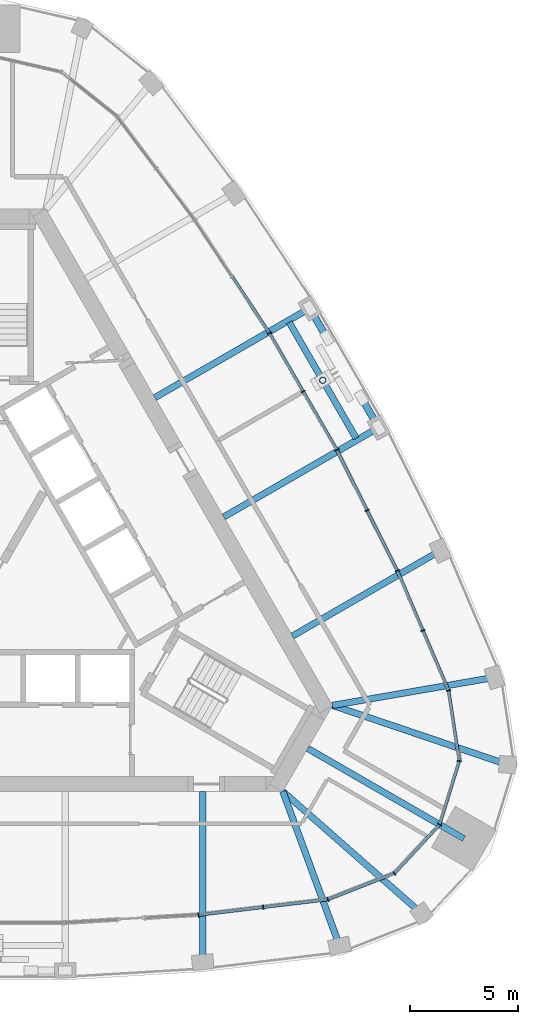
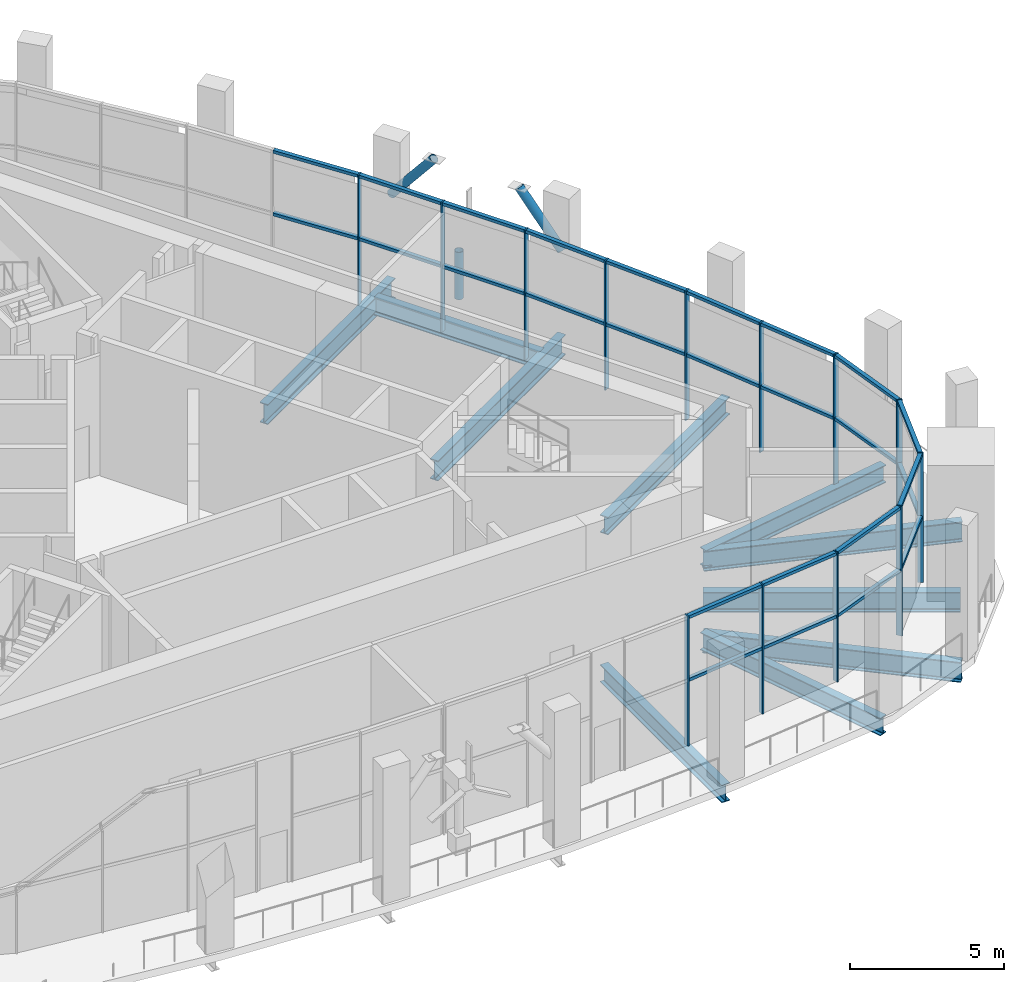
# One storey, part 5 of 23: 42 members, 10 beams, 3 elements without a shape of their own.
"""IFC4 building model written with IfcOpenShell, lengths in metres."""

from ifc_helpers import new_model, si_unit, direction, frame, origin, origin_2d, place, context, subcontext, project, spatial, rectangle, hollow_circle, i_section, extrude, material, material_profile, profile_set, type_object, element, aggregate, save


model = new_model("IFC4")

# Units and contexts
model_context = context("Model", 3, precision=1e-05, world=origin(), true_north=direction((0.0, 1.0)))
body_context = subcontext(model_context, "Body", "Model", "MODEL_VIEW")
ifc_project = project(units=[si_unit("LENGTHUNIT", "METRE"), si_unit("AREAUNIT", "SQUARE_METRE"), si_unit("VOLUMEUNIT", "CUBIC_METRE"), si_unit("PLANEANGLEUNIT", "RADIAN"), si_unit("MASSUNIT", "GRAM", prefix="KILO")], contexts=[model_context])

# Site, building, storey
site_placement = place(None, origin())
site = spatial("IfcSite", under=ifc_project, at=site_placement, CompositionType="ELEMENT")
building_placement = place(site_placement, origin())
building = spatial("IfcBuilding", under=site, at=building_placement, Name="Mestral Congress Tower", CompositionType="ELEMENT")
storey_placement = place(building_placement, frame((0.0, 0.0, 261.60009765625)))
storey = spatial("IfcBuildingStorey", under=building, at=storey_placement, Name="L61", CompositionType="ELEMENT", Elevation=261.60009765625)

# Curtain wall, members
ifc_material_1 = material(Name="Clear low-emissivity double glazing", Category="glass")
curtain_wall_type = type_object("IfcCurtainWallType", Name="Facade control room curtain wall", PredefinedType="USERDEFINED", material=ifc_material_1)
placement = place(storey_placement, origin())
curtain_wall_1 = element("IfcCurtainWall", 1, at=placement, inside=storey, type_object=curtain_wall_type, Name="Facade control room curtain wall face 1", ObjectType="CURTAIN WALL", PredefinedType="USERDEFINED")
ifc_material_2 = material(Name="Anodised aluminium", Category="aluminium")
ifc_material_profile_1 = material_profile(ifc_material_2, rectangle(XDim=0.199951171875, YDim=0.050048828125, at=origin_2d()), Name="CW5 mullion 200 x 50")
ifc_profile_set_1 = profile_set([ifc_material_profile_1], Name="Anodised aluminium")
member_type_1 = type_object("IfcMemberType", Name="Facade control room curtain wall mullion", PredefinedType="MULLION", material=ifc_profile_set_1)
member_1_placement = place(storey_placement, frame((9.390380859375, -16.08154296875, 0.0), z_axis=(0.0, 0.0, 1.0), x_axis=(0.089377567035, -0.995997816519, 0.0)))
member_1 = element("IfcMember", 2, at=member_1_placement, type_object=member_type_1, Name="Facade control room curtain wall mullion", PredefinedType="MULLION", context=body_context, shape_type="SweptSolid", body=[
    extrude(rectangle(XDim=0.199951171875, YDim=0.050048828125, at=origin_2d()), origin(), (0.0, 0.0, 1.0), 5.14990234375),
])
member_2_placement = place(storey_placement, frame((12.39501953125, -15.72119140625, 0.0), z_axis=(0.0, 0.0, 1.0), x_axis=(0.11904517272, -0.992888839122, 0.0)))
member_2 = element("IfcMember", 3, at=member_2_placement, type_object=member_type_1, Name="Facade control room curtain wall mullion", PredefinedType="MULLION", context=body_context, shape_type="SweptSolid", body=[
    extrude(rectangle(XDim=0.199951171875, YDim=0.050048828125, at=origin_2d()), origin(), (0.0, 0.0, 1.0), 5.14990234375),
])

curtain_wall_2 = element("IfcCurtainWall", 4, at=placement, inside=storey, type_object=curtain_wall_type, Name="Facade control room curtain wall face 2", ObjectType="CURTAIN WALL", PredefinedType="USERDEFINED")
member_3_placement = place(storey_placement, frame((19.8125, -2.873779296875, 0.0), z_axis=(0.0, 0.0, 1.0), x_axis=(0.919389544173, 0.393348275787, 0.0)))
member_3 = element("IfcMember", 5, at=member_3_placement, type_object=member_type_1, Name="Facade control room curtain wall mullion", PredefinedType="MULLION", context=body_context, shape_type="SweptSolid", body=[
    extrude(rectangle(XDim=0.199951171875, YDim=0.050048828125, at=origin_2d()), origin(), (0.0, 0.0, 1.0), 5.14990234375),
])
member_4_placement = place(storey_placement, frame((18.622314453125, -0.091552734375, 0.0), z_axis=(0.0, 0.0, 1.0), x_axis=(0.907248194737, 0.420595664679, 0.0)))
member_4 = element("IfcMember", 6, at=member_4_placement, type_object=member_type_1, Name="Facade control room curtain wall mullion", PredefinedType="MULLION", context=body_context, shape_type="SweptSolid", body=[
    extrude(rectangle(XDim=0.199951171875, YDim=0.050048828125, at=origin_2d()), origin(), (0.0, 0.0, 1.0), 5.14990234375),
])
member_5_placement = place(storey_placement, frame((17.219970703125, 2.7109375, 0.0), z_axis=(0.0, 0.0, 1.0), x_axis=(0.894298765328, 0.447470354697, 0.0)))
member_5 = element("IfcMember", 7, at=member_5_placement, type_object=member_type_1, Name="Facade control room curtain wall mullion", PredefinedType="MULLION", context=body_context, shape_type="SweptSolid", body=[
    extrude(rectangle(XDim=0.199951171875, YDim=0.050048828125, at=origin_2d()), origin(), (0.0, 0.0, 1.0), 5.14990234375),
])
member_6_placement = place(storey_placement, frame((15.817626953125, 5.513671875, 0.0), z_axis=(0.0, 0.0, 1.0), x_axis=(0.880554293832, 0.473945287575, 0.0)))
member_6 = element("IfcMember", 8, at=member_6_placement, type_object=member_type_1, Name="Facade control room curtain wall mullion", PredefinedType="MULLION", context=body_context, shape_type="SweptSolid", body=[
    extrude(rectangle(XDim=0.199951171875, YDim=0.050048828125, at=origin_2d()), origin(), (0.0, 0.0, 1.0), 5.14990234375),
])
member_7_placement = place(storey_placement, frame((14.25048828125, 8.2275390625, 0.0), z_axis=(0.0, 0.0, 1.0), x_axis=(0.866025403784, 0.5, 0.0)))
member_7 = element("IfcMember", 9, at=member_7_placement, type_object=member_type_1, Name="Facade control room curtain wall mullion", PredefinedType="MULLION", context=body_context, shape_type="SweptSolid", body=[
    extrude(rectangle(XDim=0.199951171875, YDim=0.050048828125, at=origin_2d()), origin(), (0.0, 0.0, 1.0), 5.14990234375),
])
member_8_placement = place(storey_placement, frame((12.68359375, 10.941650390625, 0.0), z_axis=(0.0, 0.0, 1.0), x_axis=(0.850725805959, 0.525609744083, 0.0)))
member_8 = element("IfcMember", 10, at=member_8_placement, type_object=member_type_1, Name="Facade control room curtain wall mullion", PredefinedType="MULLION", context=body_context, shape_type="SweptSolid", body=[
    extrude(rectangle(XDim=0.199951171875, YDim=0.050048828125, at=origin_2d()), origin(), (0.0, 0.0, 1.0), 5.14990234375),
])

curtain_wall_3 = element("IfcCurtainWall", 11, at=placement, inside=storey, type_object=curtain_wall_type, Name="Facade control room curtain wall corner 1", ObjectType="CURTAIN WALL", PredefinedType="USERDEFINED")
member_9_placement = place(storey_placement, frame((15.3994140625, -15.361083984375, 0.0), z_axis=(0.0, 0.0, 1.0), x_axis=(0.365034404006, -0.930994029998, 0.0)))
member_9 = element("IfcMember", 12, at=member_9_placement, type_object=member_type_1, Name="Facade control room curtain wall mullion", PredefinedType="MULLION", context=body_context, shape_type="SweptSolid", body=[
    extrude(rectangle(XDim=0.199951171875, YDim=0.050048828125, at=origin_2d()), origin(), (0.0, 0.0, 1.0), 5.14990234375),
])
member_10_placement = place(storey_placement, frame((18.483642578125, -14.15185546875, 0.0), z_axis=(0.0, 0.0, 1.0), x_axis=(0.563138139008, -0.826362775296, 0.0)))
member_10 = element("IfcMember", 13, at=member_10_placement, type_object=member_type_1, Name="Facade control room curtain wall mullion", PredefinedType="MULLION", context=body_context, shape_type="SweptSolid", body=[
    extrude(rectangle(XDim=0.199951171875, YDim=0.050048828125, at=origin_2d()), origin(), (0.0, 0.0, 1.0), 5.14990234375),
])
member_11_placement = place(storey_placement, frame((20.586669921875, -11.8857421875, 0.0), z_axis=(0.0, 0.0, 1.0), x_axis=(0.866025403784, -0.5, 0.0)))
member_11 = element("IfcMember", 14, at=member_11_placement, type_object=member_type_1, Name="Facade control room curtain wall mullion", PredefinedType="MULLION", context=body_context, shape_type="SweptSolid", body=[
    extrude(rectangle(XDim=0.199951171875, YDim=0.050048828125, at=origin_2d()), origin(), (0.0, 0.0, 1.0), 5.14990234375),
])
member_12_placement = place(storey_placement, frame((21.49755859375, -8.931396484375, 0.0), z_axis=(0.0, 0.0, 1.0), x_axis=(0.997220225652, -0.074510546573, 0.0)))
member_12 = element("IfcMember", 15, at=member_12_placement, type_object=member_type_1, Name="Facade control room curtain wall mullion", PredefinedType="MULLION", context=body_context, shape_type="SweptSolid", body=[
    extrude(rectangle(XDim=0.199951171875, YDim=0.050048828125, at=origin_2d()), origin(), (0.0, 0.0, 1.0), 5.14990234375),
])
member_13_placement = place(storey_placement, frame((21.002685546875, -5.656005859375, 0.0), z_axis=(0.0, 0.0, 1.0), x_axis=(0.988781682753, 0.149367947874, 0.0)))
member_13 = element("IfcMember", 16, at=member_13_placement, type_object=member_type_1, Name="Facade control room curtain wall mullion", PredefinedType="MULLION", context=body_context, shape_type="SweptSolid", body=[
    extrude(rectangle(XDim=0.199951171875, YDim=0.050048828125, at=origin_2d()), origin(), (0.0, 0.0, 1.0), 5.14990234375),
])

# Member
ifc_material_profile_2 = material_profile(ifc_material_2, rectangle(XDim=0.14990234375, YDim=0.1201171875, at=origin_2d()), Name="CW5 transom 150 x 120")
ifc_profile_set_2 = profile_set([ifc_material_profile_2], Name="Anodised aluminium")
member_type_2 = type_object("IfcMemberType", Name="Facade control room curtain wall transom", PredefinedType="USERDEFINED", material=ifc_profile_set_2)
member_14_placement = place(storey_placement, frame((9.415283203125, -16.07861328125, 2.599853515625), z_axis=(0.992880331702, 0.119116106885, 0.0), x_axis=(-0.119116106885, 0.992880331702, 0.0)))
member_14 = element("IfcMember", 17, at=member_14_placement, type_object=member_type_2, Name="Facade control room curtain wall transom", ObjectType="TRANSOM", PredefinedType="USERDEFINED", context=body_context, shape_type="SweptSolid", body=[
    extrude(rectangle(XDim=0.14990234375, YDim=0.1201171875, at=origin_2d()), origin(), (0.0, 0.0, 1.0), 2.97607421875),
])

member_15_placement = place(storey_placement, frame((9.415283203125, -16.07861328125, 5.08984375), z_axis=(0.992880331702, 0.119116106885, 0.0), x_axis=(-0.119116106885, 0.992880331702, 0.0)))
member_15 = element("IfcMember", 18, at=member_15_placement, type_object=member_type_2, Name="Facade control room curtain wall transom", ObjectType="TRANSOM", PredefinedType="USERDEFINED", context=body_context, shape_type="SweptSolid", body=[
    extrude(rectangle(XDim=0.14990234375, YDim=0.1201171875, at=origin_2d()), origin(), (0.0, 0.0, 1.0), 2.97607421875),
])

member_16_placement = place(storey_placement, frame((12.419921875, -15.71826171875, 2.599853515625), z_axis=(0.992890030727, 0.119035233792, 0.0), x_axis=(-0.119035233792, 0.992890030727, 0.0)))
member_16 = element("IfcMember", 19, at=member_16_placement, type_object=member_type_2, Name="Facade control room curtain wall transom", ObjectType="TRANSOM", PredefinedType="USERDEFINED", context=body_context, shape_type="SweptSolid", body=[
    extrude(rectangle(XDim=0.14990234375, YDim=0.1201171875, at=origin_2d()), origin(), (0.0, 0.0, 1.0), 2.97607421875),
])

member_17_placement = place(storey_placement, frame((12.419921875, -15.71826171875, 5.08984375), z_axis=(0.992890030727, 0.119035233792, 0.0), x_axis=(-0.119035233792, 0.992890030727, 0.0)))
member_17 = element("IfcMember", 20, at=member_17_placement, type_object=member_type_2, Name="Facade control room curtain wall transom", ObjectType="TRANSOM", PredefinedType="USERDEFINED", context=body_context, shape_type="SweptSolid", body=[
    extrude(rectangle(XDim=0.14990234375, YDim=0.1201171875, at=origin_2d()), origin(), (0.0, 0.0, 1.0), 2.97607421875),
])

aggregate(curtain_wall_1, [member_1, member_2, member_14, member_15, member_16, member_17])

member_18_placement = place(storey_placement, frame((20.992919921875, -5.6328125, 2.599853515625), z_axis=(-0.393364773666, 0.919382485606, 0.0), x_axis=(-0.919382485606, -0.393364773666, 0.0)))
member_18 = element("IfcMember", 21, at=member_18_placement, type_object=member_type_2, Name="Facade control room curtain wall transom", ObjectType="TRANSOM", PredefinedType="USERDEFINED", context=body_context, shape_type="SweptSolid", body=[
    extrude(rectangle(XDim=0.14990234375, YDim=0.1201171875, at=origin_2d()), origin(), (0.0, 0.0, 1.0), 2.97607421875),
])

member_19_placement = place(storey_placement, frame((20.992919921875, -5.6328125, 5.08984375), z_axis=(-0.393364773666, 0.919382485606, 0.0), x_axis=(-0.919382485606, -0.393364773666, 0.0)))
member_19 = element("IfcMember", 22, at=member_19_placement, type_object=member_type_2, Name="Facade control room curtain wall transom", ObjectType="TRANSOM", PredefinedType="USERDEFINED", context=body_context, shape_type="SweptSolid", body=[
    extrude(rectangle(XDim=0.14990234375, YDim=0.1201171875, at=origin_2d()), origin(), (0.0, 0.0, 1.0), 2.97607421875),
])

member_20_placement = place(storey_placement, frame((19.802734375, -2.850830078125, 2.599853515625), z_axis=(-0.393335106997, 0.919395178149, 0.0), x_axis=(-0.919395178149, -0.393335106997, 0.0)))
member_20 = element("IfcMember", 23, at=member_20_placement, type_object=member_type_2, Name="Facade control room curtain wall transom", ObjectType="TRANSOM", PredefinedType="USERDEFINED", context=body_context, shape_type="SweptSolid", body=[
    extrude(rectangle(XDim=0.14990234375, YDim=0.1201171875, at=origin_2d()), origin(), (0.0, 0.0, 1.0), 2.976318359375),
])

member_21_placement = place(storey_placement, frame((19.802734375, -2.850830078125, 5.08984375), z_axis=(-0.393335106997, 0.919395178149, 0.0), x_axis=(-0.919395178149, -0.393335106997, 0.0)))
member_21 = element("IfcMember", 24, at=member_21_placement, type_object=member_type_2, Name="Facade control room curtain wall transom", ObjectType="TRANSOM", PredefinedType="USERDEFINED", context=body_context, shape_type="SweptSolid", body=[
    extrude(rectangle(XDim=0.14990234375, YDim=0.1201171875, at=origin_2d()), origin(), (0.0, 0.0, 1.0), 2.976318359375),
])

member_22_placement = place(storey_placement, frame((18.611083984375, -0.0693359375, 2.599853515625), z_axis=(-0.447435241122, 0.894316333856, 0.0), x_axis=(-0.894316333856, -0.447435241122, 0.0)))
member_22 = element("IfcMember", 25, at=member_22_placement, type_object=member_type_2, Name="Facade control room curtain wall transom", ObjectType="TRANSOM", PredefinedType="USERDEFINED", context=body_context, shape_type="SweptSolid", body=[
    extrude(rectangle(XDim=0.14990234375, YDim=0.1201171875, at=origin_2d()), origin(), (0.0, 0.0, 1.0), 3.083984375),
])

member_23_placement = place(storey_placement, frame((18.611083984375, -0.0693359375, 5.08984375), z_axis=(-0.447435241122, 0.894316333856, 0.0), x_axis=(-0.894316333856, -0.447435241122, 0.0)))
member_23 = element("IfcMember", 26, at=member_23_placement, type_object=member_type_2, Name="Facade control room curtain wall transom", ObjectType="TRANSOM", PredefinedType="USERDEFINED", context=body_context, shape_type="SweptSolid", body=[
    extrude(rectangle(XDim=0.14990234375, YDim=0.1201171875, at=origin_2d()), origin(), (0.0, 0.0, 1.0), 3.083984375),
])

member_24_placement = place(storey_placement, frame((17.208740234375, 2.7333984375, 2.599853515625), z_axis=(-0.447466920474, 0.894300483664, 0.0), x_axis=(-0.894300483664, -0.447466920474, 0.0)))
member_24 = element("IfcMember", 27, at=member_24_placement, type_object=member_type_2, Name="Facade control room curtain wall transom", ObjectType="TRANSOM", PredefinedType="USERDEFINED", context=body_context, shape_type="SweptSolid", body=[
    extrude(rectangle(XDim=0.14990234375, YDim=0.1201171875, at=origin_2d()), origin(), (0.0, 0.0, 1.0), 3.083740234375),
])

member_25_placement = place(storey_placement, frame((17.208740234375, 2.7333984375, 5.08984375), z_axis=(-0.447466920474, 0.894300483664, 0.0), x_axis=(-0.894300483664, -0.447466920474, 0.0)))
member_25 = element("IfcMember", 28, at=member_25_placement, type_object=member_type_2, Name="Facade control room curtain wall transom", ObjectType="TRANSOM", PredefinedType="USERDEFINED", context=body_context, shape_type="SweptSolid", body=[
    extrude(rectangle(XDim=0.14990234375, YDim=0.1201171875, at=origin_2d()), origin(), (0.0, 0.0, 1.0), 3.083740234375),
])

member_26_placement = place(storey_placement, frame((15.80517578125, 5.53515625, 2.599853515625), z_axis=(-0.499987416453, 0.866032668777, 0.0), x_axis=(-0.866032668777, -0.499987416453, 0.0)))
member_26 = element("IfcMember", 29, at=member_26_placement, type_object=member_type_2, Name="Facade control room curtain wall transom", ObjectType="TRANSOM", PredefinedType="USERDEFINED", context=body_context, shape_type="SweptSolid", body=[
    extrude(rectangle(XDim=0.14990234375, YDim=0.1201171875, at=origin_2d()), origin(), (0.0, 0.0, 1.0), 3.083984375),
])

member_27_placement = place(storey_placement, frame((15.80517578125, 5.53515625, 5.08984375), z_axis=(-0.499987416453, 0.866032668777, 0.0), x_axis=(-0.866032668777, -0.499987416453, 0.0)))
member_27 = element("IfcMember", 30, at=member_27_placement, type_object=member_type_2, Name="Facade control room curtain wall transom", ObjectType="TRANSOM", PredefinedType="USERDEFINED", context=body_context, shape_type="SweptSolid", body=[
    extrude(rectangle(XDim=0.14990234375, YDim=0.1201171875, at=origin_2d()), origin(), (0.0, 0.0, 1.0), 3.083984375),
])

member_28_placement = place(storey_placement, frame((14.238037109375, 8.249267578125, 2.599853515625), z_axis=(-0.499962318598, 0.866047158059, 0.0), x_axis=(-0.866047158059, -0.499962318598, 0.0)))
member_28 = element("IfcMember", 31, at=member_28_placement, type_object=member_type_2, Name="Facade control room curtain wall transom", ObjectType="TRANSOM", PredefinedType="USERDEFINED", context=body_context, shape_type="SweptSolid", body=[
    extrude(rectangle(XDim=0.14990234375, YDim=0.1201171875, at=origin_2d()), origin(), (0.0, 0.0, 1.0), 3.083740234375),
])

member_29_placement = place(storey_placement, frame((14.238037109375, 8.249267578125, 5.08984375), z_axis=(-0.499962318598, 0.866047158059, 0.0), x_axis=(-0.866047158059, -0.499962318598, 0.0)))
member_29 = element("IfcMember", 32, at=member_29_placement, type_object=member_type_2, Name="Facade control room curtain wall transom", ObjectType="TRANSOM", PredefinedType="USERDEFINED", context=body_context, shape_type="SweptSolid", body=[
    extrude(rectangle(XDim=0.14990234375, YDim=0.1201171875, at=origin_2d()), origin(), (0.0, 0.0, 1.0), 3.083740234375),
])

member_30_placement = place(storey_placement, frame((12.669921875, 10.96240234375, 2.599853515625), z_axis=(-0.550729713507, 0.834683642262, 0.0), x_axis=(-0.834683642262, -0.550729713507, 0.0)))
member_30 = element("IfcMember", 33, at=member_30_placement, type_object=member_type_2, Name="Facade control room curtain wall transom", ObjectType="TRANSOM", PredefinedType="USERDEFINED", context=body_context, shape_type="SweptSolid", body=[
    extrude(rectangle(XDim=0.14990234375, YDim=0.1201171875, at=origin_2d()), origin(), (0.0, 0.0, 1.0), 3.083984375),
])

member_31_placement = place(storey_placement, frame((12.669921875, 10.96240234375, 5.08984375), z_axis=(-0.550729713507, 0.834683642262, 0.0), x_axis=(-0.834683642262, -0.550729713507, 0.0)))
member_31 = element("IfcMember", 34, at=member_31_placement, type_object=member_type_2, Name="Facade control room curtain wall transom", ObjectType="TRANSOM", PredefinedType="USERDEFINED", context=body_context, shape_type="SweptSolid", body=[
    extrude(rectangle(XDim=0.14990234375, YDim=0.1201171875, at=origin_2d()), origin(), (0.0, 0.0, 1.0), 3.083984375),
])

aggregate(curtain_wall_2, [member_3, member_4, member_5, member_6, member_7, member_8, member_18, member_19, member_20, member_21, member_22, member_23, member_24, member_25, member_26, member_27, member_28, member_29, member_30, member_31])

member_32_placement = place(storey_placement, frame((15.4228515625, -15.351806640625, 2.599853515625), z_axis=(0.930994143141, 0.365034115444, 0.0), x_axis=(-0.365034115444, 0.930994143141, 0.0)))
member_32 = element("IfcMember", 35, at=member_32_placement, type_object=member_type_2, Name="Facade control room curtain wall transom", ObjectType="TRANSOM", PredefinedType="USERDEFINED", context=body_context, shape_type="SweptSolid", body=[
    extrude(rectangle(XDim=0.14990234375, YDim=0.1201171875, at=origin_2d()), origin(), (0.0, 0.0, 1.0), 3.262451171875),
])

member_33_placement = place(storey_placement, frame((15.4228515625, -15.351806640625, 5.08984375), z_axis=(0.930994143141, 0.365034115444, 0.0), x_axis=(-0.365034115444, 0.930994143141, 0.0)))
member_33 = element("IfcMember", 36, at=member_33_placement, type_object=member_type_2, Name="Facade control room curtain wall transom", ObjectType="TRANSOM", PredefinedType="USERDEFINED", context=body_context, shape_type="SweptSolid", body=[
    extrude(rectangle(XDim=0.14990234375, YDim=0.1201171875, at=origin_2d()), origin(), (0.0, 0.0, 1.0), 3.262451171875),
])

member_34_placement = place(storey_placement, frame((18.50048828125, -14.13330078125, 2.599853515625), z_axis=(0.680287903566, 0.732944996751, 0.0), x_axis=(-0.732944996751, 0.680287903566, 0.0)))
member_34 = element("IfcMember", 37, at=member_34_placement, type_object=member_type_2, Name="Facade control room curtain wall transom", ObjectType="TRANSOM", PredefinedType="USERDEFINED", context=body_context, shape_type="SweptSolid", body=[
    extrude(rectangle(XDim=0.14990234375, YDim=0.1201171875, at=origin_2d()), origin(), (0.0, 0.0, 1.0), 3.04150390625),
])

member_35_placement = place(storey_placement, frame((18.50048828125, -14.13330078125, 5.08984375), z_axis=(0.680287903566, 0.732944996751, 0.0), x_axis=(-0.732944996751, 0.680287903566, 0.0)))
member_35 = element("IfcMember", 38, at=member_35_placement, type_object=member_type_2, Name="Facade control room curtain wall transom", ObjectType="TRANSOM", PredefinedType="USERDEFINED", context=body_context, shape_type="SweptSolid", body=[
    extrude(rectangle(XDim=0.14990234375, YDim=0.1201171875, at=origin_2d()), origin(), (0.0, 0.0, 1.0), 3.04150390625),
])

member_36_placement = place(storey_placement, frame((20.593994140625, -11.86181640625, 2.599853515625), z_axis=(0.29466676707, 0.955600071361, 0.0), x_axis=(-0.955600071361, 0.29466676707, 0.0)))
member_36 = element("IfcMember", 39, at=member_36_placement, type_object=member_type_2, Name="Facade control room curtain wall transom", ObjectType="TRANSOM", PredefinedType="USERDEFINED", context=body_context, shape_type="SweptSolid", body=[
    extrude(rectangle(XDim=0.14990234375, YDim=0.1201171875, at=origin_2d()), origin(), (0.0, 0.0, 1.0), 3.04150390625),
])

member_37_placement = place(storey_placement, frame((20.593994140625, -11.86181640625, 5.08984375), z_axis=(0.29466676707, 0.955600071361, 0.0), x_axis=(-0.955600071361, 0.29466676707, 0.0)))
member_37 = element("IfcMember", 40, at=member_37_placement, type_object=member_type_2, Name="Facade control room curtain wall transom", ObjectType="TRANSOM", PredefinedType="USERDEFINED", context=body_context, shape_type="SweptSolid", body=[
    extrude(rectangle(XDim=0.14990234375, YDim=0.1201171875, at=origin_2d()), origin(), (0.0, 0.0, 1.0), 3.04150390625),
])

member_38_placement = place(storey_placement, frame((21.493896484375, -8.90673828125, 2.599853515625), z_axis=(-0.149357602395, 0.988783245513, 0.0), x_axis=(-0.988783245513, -0.149357602395, 0.0)))
member_38 = element("IfcMember", 41, at=member_38_placement, type_object=member_type_2, Name="Facade control room curtain wall transom", ObjectType="TRANSOM", PredefinedType="USERDEFINED", context=body_context, shape_type="SweptSolid", body=[
    extrude(rectangle(XDim=0.14990234375, YDim=0.1201171875, at=origin_2d()), origin(), (0.0, 0.0, 1.0), 3.2626953125),
])

member_39_placement = place(storey_placement, frame((21.493896484375, -8.90673828125, 5.08984375), z_axis=(-0.149357602395, 0.988783245513, 0.0), x_axis=(-0.988783245513, -0.149357602395, 0.0)))
member_39 = element("IfcMember", 42, at=member_39_placement, type_object=member_type_2, Name="Facade control room curtain wall transom", ObjectType="TRANSOM", PredefinedType="USERDEFINED", context=body_context, shape_type="SweptSolid", body=[
    extrude(rectangle(XDim=0.14990234375, YDim=0.1201171875, at=origin_2d()), origin(), (0.0, 0.0, 1.0), 3.2626953125),
])

aggregate(curtain_wall_3, [member_9, member_10, member_11, member_12, member_13, member_32, member_33, member_34, member_35, member_36, member_37, member_38, member_39])

# Beams
ifc_material_3 = material(Name="Steel S355", Category="steel")
ifc_material_profile_3 = material_profile(ifc_material_3, i_section(OverallWidth=0.300048828125, OverallDepth=0.699951171875, WebThickness=0.01708984375, FlangeThickness=0.031982421875, FilletRadius=0.027099609375, at=origin_2d()), Name="HEB 700")
ifc_profile_set_3 = profile_set([ifc_material_profile_3], Name="Steel S355")
beam_type_1 = type_object("IfcBeamType", Name="Floor beam HEB 700 S355", PredefinedType="BEAM", material=ifc_profile_set_3)
beam_1_placement = place(storey_placement, frame((9.587158203125, -18.273681640625, -0.650146484375), z_axis=(0.0, 1.0, 0.0), x_axis=(-1.0, 0.0, 0.0)))
element("IfcBeam", 43, at=beam_1_placement, inside=storey, type_object=beam_type_1, Name="BM-L61-RB5-S04", PredefinedType="BEAM", context=body_context, shape_type="SweptSolid", body=[
    extrude(i_section(OverallWidth=0.300048828125, OverallDepth=0.699951171875, WebThickness=0.01708984375, FlangeThickness=0.031982421875, FilletRadius=0.027099609375, at=origin_2d()), origin(), (0.0, 0.0, 1.0), 7.923583984375),
])
beam_2_placement = place(storey_placement, frame((15.940673828125, -17.511962890625, -0.650146484375), z_axis=(-0.345039531191, 0.938588153513, 0.0), x_axis=(-0.938588153513, -0.345039531191, 0.0)))
element("IfcBeam", 44, at=beam_2_placement, inside=storey, type_object=beam_type_1, Name="BM-L61-RB5-S05", PredefinedType="BEAM", context=body_context, shape_type="SweptSolid", body=[
    extrude(i_section(OverallWidth=0.300048828125, OverallDepth=0.699951171875, WebThickness=0.01708984375, FlangeThickness=0.031982421875, FilletRadius=0.027099609375, at=origin_2d()), origin(), (0.0, 0.0, 1.0), 7.63037109375),
])
beam_3_placement = place(storey_placement, frame((23.135986328125, -5.049072265625, -0.650146484375), z_axis=(-0.985357225813, -0.170502602733, 0.0), x_axis=(0.170502602733, -0.985357225813, 0.0)))
element("IfcBeam", 45, at=beam_3_placement, inside=storey, type_object=beam_type_1, Name="BM-L61-RB5-E00", PredefinedType="BEAM", context=body_context, shape_type="SweptSolid", body=[
    extrude(i_section(OverallWidth=0.300048828125, OverallDepth=0.699951171875, WebThickness=0.01708984375, FlangeThickness=0.031982421875, FilletRadius=0.027099609375, at=origin_2d()), origin(), (0.0, 0.0, 1.0), 7.630615234375),
])
beam_4_placement = place(storey_placement, frame((20.618896484375, 0.833984375, -0.650146484375), z_axis=(-0.866033195618, -0.499986503906, 0.0), x_axis=(0.499986503906, -0.866033195618, 0.0)))
element("IfcBeam", 46, at=beam_4_placement, inside=storey, type_object=beam_type_1, Name="BM-L61-RB5-E01", PredefinedType="BEAM", context=body_context, shape_type="SweptSolid", body=[
    extrude(i_section(OverallWidth=0.300048828125, OverallDepth=0.699951171875, WebThickness=0.01708984375, FlangeThickness=0.031982421875, FilletRadius=0.027099609375, at=origin_2d()), origin(), (0.0, 0.0, 1.0), 7.923583984375),
])
ifc_material_profile_4 = material_profile(ifc_material_3, i_section(OverallWidth=0.300048828125, OverallDepth=0.800048828125, WebThickness=0.017578125, FlangeThickness=0.032958984375, FilletRadius=0.030029296875, at=origin_2d()), Name="HEB 800")
ifc_profile_set_4 = profile_set([ifc_material_profile_4], Name="Steel S355")
beam_type_2 = type_object("IfcBeamType", Name="Floor beam HEB 800 S355", PredefinedType="BEAM", material=ifc_profile_set_4)
beam_5_placement = place(storey_placement, frame((19.75439453125, -16.0166015625, -0.7001953125), z_axis=(-0.75108582232, 0.660204580043, 0.0), x_axis=(-0.660204580043, -0.75108582232, 0.0)))
element("IfcBeam", 47, at=beam_5_placement, inside=storey, type_object=beam_type_2, Name="BM-L61-RB5-SE1", PredefinedType="BEAM", context=body_context, shape_type="SweptSolid", body=[
    extrude(i_section(OverallWidth=0.300048828125, OverallDepth=0.800048828125, WebThickness=0.017578125, FlangeThickness=0.032958984375, FilletRadius=0.030029296875, at=origin_2d()), origin(), (0.0, 0.0, 1.0), 8.5830078125),
])
beam_6_placement = place(storey_placement, frame((21.71826171875, -12.5390625, -0.7001953125), z_axis=(-0.866028844128, 0.499994041103, 0.0), x_axis=(-0.499994041103, -0.866028844128, 0.0)))
element("IfcBeam", 48, at=beam_6_placement, inside=storey, type_object=beam_type_2, Name="BM-L61-RB5-SE", PredefinedType="BEAM", context=body_context, shape_type="SweptSolid", body=[
    extrude(i_section(OverallWidth=0.300048828125, OverallDepth=0.800048828125, WebThickness=0.017578125, FlangeThickness=0.032958984375, FilletRadius=0.030029296875, at=origin_2d()), origin(), (0.0, 0.0, 1.0), 8.3779296875),
])
beam_7_placement = place(storey_placement, frame((23.748046875, -9.099609375, -0.7001953125), z_axis=(-0.947303374829, 0.320337815497, 0.0), x_axis=(-0.320337815497, -0.947303374829, 0.0)))
element("IfcBeam", 49, at=beam_7_placement, inside=storey, type_object=beam_type_2, Name="BM-L61-RB5-SE3", PredefinedType="BEAM", context=body_context, shape_type="SweptSolid", body=[
    extrude(i_section(OverallWidth=0.300048828125, OverallDepth=0.800048828125, WebThickness=0.017578125, FlangeThickness=0.032958984375, FilletRadius=0.030029296875, at=origin_2d()), origin(), (0.0, 0.0, 1.0), 8.583251953125),
])
for number, where, z_axis, x_axis, name in (
    (50, (17.755615234375, 6.556640625, -0.7001953125), (-0.86602208059, -0.500005755898, 0.0), (0.500005755898, -0.86602208059, 0.0), "BM-L61-RB5-E02"),
    (51, (14.55615234375, 12.098388671875, -0.7001953125), (-0.866029429613, -0.499993026995, 0.0), (0.499993026995, -0.866029429613, 0.0), "BM-L61-RB5-E03"),
):
    element("IfcBeam", number, at=place(storey_placement, frame(where, z_axis=z_axis, x_axis=x_axis)), inside=storey, type_object=beam_type_2, Name=name, PredefinedType="BEAM", context=body_context, shape_type="SweptSolid", body=[
        extrude(i_section(OverallWidth=0.300048828125, OverallDepth=0.800048828125, WebThickness=0.017578125, FlangeThickness=0.032958984375, FilletRadius=0.030029296875, at=origin_2d()), origin(), (0.0, 0.0, 1.0), 8.30517578125),
    ])

# Members
ifc_material_profile_5 = material_profile(ifc_material_3, hollow_circle(Radius=0.161865234375, WallThickness=0.012451171875, at=origin_2d()), Name="CHS 323.9x12.5")
ifc_profile_set_5 = profile_set([ifc_material_profile_5], Name="Steel S355")
member_type_3 = type_object("IfcMemberType", Name="Slot frame knee brace CHS 323.9x12.5 S355", PredefinedType="BRACE", material=ifc_profile_set_5)
for number, where, z_axis, x_axis, name in (
    (52, (17.755615234375, 6.556640625, 3.0), (-0.316612340064, 0.548562772346, 0.7738446297), (-0.866094119867, -0.499880961361, 0.0), "MK-L61-KB-C5-E02"),
    (53, (14.55615234375, 12.098388671875, 3.0), (0.31671608305, -0.548478416634, 0.773861970395), (0.865989903783, 0.500061482766, 0.0), "MK-L61-KB-C5-E03"),
):
    element("IfcMember", number, at=place(storey_placement, frame(where, z_axis=z_axis, x_axis=x_axis)), inside=storey, type_object=member_type_3, Name=name, PredefinedType="BRACE", context=body_context, shape_type="SweptSolid", body=[
        extrude(hollow_circle(Radius=0.161865234375, WallThickness=0.012451171875, at=origin_2d()), origin(), (0.0, 0.0, 1.0), 2.526123046875),
    ])
ifc_material_profile_6 = material_profile(ifc_material_3, hollow_circle(Radius=0.14990234375, WallThickness=0.01611328125, at=origin_2d()), Name="CHS 300 x 16")
ifc_profile_set_6 = profile_set([ifc_material_profile_6], Name="Steel S355")
member_type_4 = type_object("IfcMemberType", Name="Slot turbine mast CHS 300", PredefinedType="USERDEFINED", material=ifc_profile_set_6)
member_40_placement = place(storey_placement, frame((15.157958984375, 8.75146484375, 0.699951171875), z_axis=(0.0, 0.0, 1.0), x_axis=(1.0, 0.0, 0.0)))
element("IfcMember", 54, at=member_40_placement, inside=storey, type_object=member_type_4, Name="Turbine 2 mast", ObjectType="TURBINE MAST", PredefinedType="USERDEFINED", context=body_context, shape_type="SweptSolid", body=[
    extrude(hollow_circle(Radius=0.14990234375, WallThickness=0.01611328125, at=origin_2d()), origin(), (0.0, 0.0, 1.0), 1.8798828125),
])

# Beam
ifc_material_profile_7 = material_profile(ifc_material_3, i_section(OverallWidth=0.300048828125, OverallDepth=0.699951171875, WebThickness=0.01708984375, FlangeThickness=0.031982421875, FilletRadius=0.027099609375, at=origin_2d()), Name="HEB 700")
ifc_profile_set_7 = profile_set([ifc_material_profile_7], Name="Steel S355")
beam_type_3 = type_object("IfcBeamType", Name="Slot turbine transfer beam HEB 700 S355", PredefinedType="BEAM", material=ifc_profile_set_7)
beam_8_placement = place(storey_placement, frame((16.712890625, 6.05859375, -0.650146484375), z_axis=(-0.500019227917, 0.866014302257, 0.0), x_axis=(-0.866014302257, -0.500019227917, 0.0)))
element("IfcBeam", 55, at=beam_8_placement, inside=storey, type_object=beam_type_3, Name="Turbine 2 transfer beam", PredefinedType="BEAM", context=body_context, shape_type="SweptSolid", body=[
    extrude(i_section(OverallWidth=0.300048828125, OverallDepth=0.699951171875, WebThickness=0.01708984375, FlangeThickness=0.031982421875, FilletRadius=0.027099609375, at=origin_2d()), origin(), (0.0, 0.0, 1.0), 6.218994140625),
])

save(model, "model.ifc")
